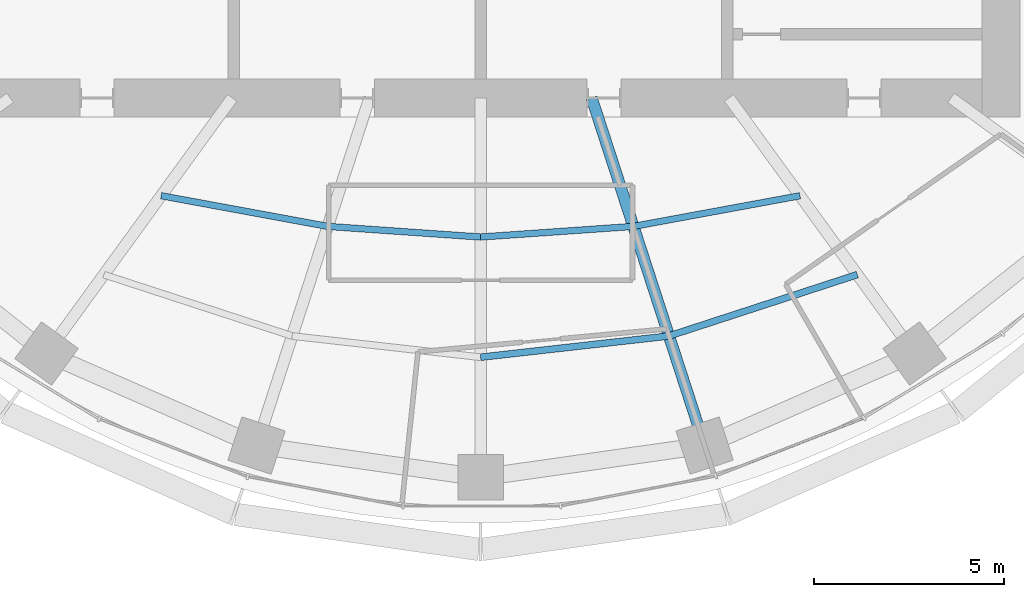
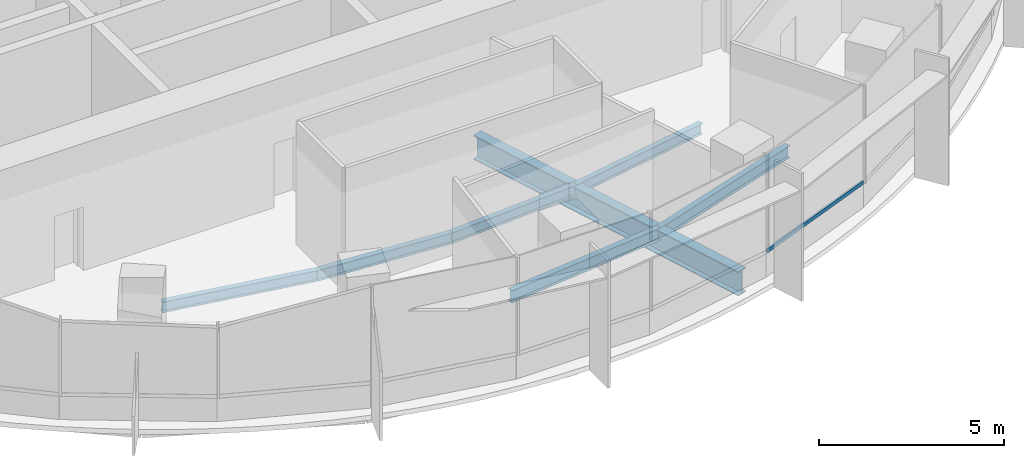
# One storey, part 3 of 13: 7 beams, 1 member, 1 element without a shape of its own.
"""IFC4 building model written with IfcOpenShell, lengths in metres."""

from ifc_helpers import new_model, si_unit, direction, frame, origin, origin_2d, place, context, subcontext, project, spatial, rectangle, i_section, extrude, material, material_profile, profile_set, type_object, element, aggregate, save


model = new_model("IFC4")

# Units and contexts
model_context = context("Model", 3, precision=1e-05, world=origin(), true_north=direction((0.0, 1.0)))
body_context = subcontext(model_context, "Body", "Model", "MODEL_VIEW")
ifc_project = project(units=[si_unit("LENGTHUNIT", "METRE"), si_unit("AREAUNIT", "SQUARE_METRE"), si_unit("VOLUMEUNIT", "CUBIC_METRE"), si_unit("PLANEANGLEUNIT", "RADIAN"), si_unit("MASSUNIT", "GRAM", prefix="KILO")], contexts=[model_context])

# Site, building, storey
site_placement = place(None, origin())
site = spatial("IfcSite", under=ifc_project, at=site_placement, CompositionType="ELEMENT")
building_placement = place(site_placement, origin())
building = spatial("IfcBuilding", under=site, at=building_placement, Name="Marramba Exchange Tower", CompositionType="ELEMENT")
storey_placement = place(building_placement, frame((0.0, 0.0, 256.0)))
storey = spatial("IfcBuildingStorey", under=building, at=storey_placement, Name="L62", CompositionType="ELEMENT", Elevation=256.0)

# Curtain wall, member
ifc_material_1 = material(Name="Aluminium framing, bronze anodised", Category="aluminium")
curtain_wall_type = type_object("IfcCurtainWallType", Name="Executive floor ribbon curtain wall", PredefinedType="USERDEFINED", material=ifc_material_1)
curtain_wall_placement = place(storey_placement, origin())
curtain_wall = element("IfcCurtainWall", 1, at=curtain_wall_placement, inside=storey, type_object=curtain_wall_type, Name="Curtain wall CW5 L62 F21-F25", ObjectType="RIBBON CURTAIN WALL", PredefinedType="USERDEFINED")
ifc_material_2 = material(Name="Aluminium transom, bronze anodised", Category="aluminium")
ifc_material_profile_1 = material_profile(ifc_material_2, rectangle(XDim=0.06005859375, YDim=0.1201171875, at=origin_2d()), Name="CW5 transom 60x120")
ifc_profile_set_1 = profile_set([ifc_material_profile_1], Name="Aluminium transom, bronze anodised")
member_type = type_object("IfcMemberType", Name="Executive floor ribbon curtain wall transom", PredefinedType="USERDEFINED", material=ifc_profile_set_1)
member_placement = place(storey_placement, frame((6.21826171875, -18.943603515625, 0.830078125), z_axis=(0.931790621773, 0.362996194438, 0.0), x_axis=(-0.362996194438, 0.931790621773, 0.0)))
member = element("IfcMember", 2, at=member_placement, type_object=member_type, Name="CW5 sill transom", ObjectType="TRANSOM", PredefinedType="USERDEFINED", context=body_context, shape_type="SweptSolid", body=[
    extrude(rectangle(XDim=0.06005859375, YDim=0.1201171875, at=origin_2d()), origin(), (0.0, 0.0, 1.0), 4.13427734375),
])
aggregate(curtain_wall, [member])

# Beams
ifc_material_3 = material(Name="Steel AS/NZS 3679.1 grade 300", Category="steel")
ifc_material_profile_2 = material_profile(ifc_material_3, i_section(OverallWidth=0.1708984375, OverallDepth=0.35595703125, WebThickness=0.00732421875, FlangeThickness=0.011474609375, FilletRadius=0.011474609375, at=origin_2d()), Name="360UB50.7")
ifc_profile_set_2 = profile_set([ifc_material_profile_2], Name="Steel AS/NZS 3679.1 grade 300")
beam_type_1 = type_object("IfcBeamType", Name="Floor joist 360UB50.7", PredefinedType="JOIST", material=ifc_profile_set_2)
beam_1_placement = place(storey_placement, frame((-8.41162109375, -11.57763671875, -0.337890625), z_axis=(0.983455754421, -0.181148500119, 0.0), x_axis=(0.181148500119, 0.983455754421, 0.0)))
element("IfcBeam", 3, at=beam_1_placement, inside=storey, type_object=beam_type_1, Name="Joist L62 bay 14 row 1", PredefinedType="JOIST", context=body_context, shape_type="SweptSolid", body=[
    extrude(i_section(OverallWidth=0.1708984375, OverallDepth=0.35595703125, WebThickness=0.00732421875, FlangeThickness=0.011474609375, FilletRadius=0.011474609375, at=origin_2d()), origin(), (0.0, 0.0, 1.0), 4.4609375),
])
for number, where, z_axis, x_axis, name in (
    (4, (-4.0244140625, -12.3857421875, -0.337890625), (0.99759625901, -0.069294328838, 0.0), (0.069294328838, 0.99759625901, 0.0), "Joist L62 bay 15 row 1"),
    (5, (0.0, -12.665283203125, -0.337890625), (0.99759625901, 0.069294328838, 0.0), (-0.069294328838, 0.99759625901, 0.0), "Joist L62 bay 16 row 1"),
):
    element("IfcBeam", number, at=place(storey_placement, frame(where, z_axis=z_axis, x_axis=x_axis)), inside=storey, type_object=beam_type_1, Name=name, PredefinedType="JOIST", context=body_context, shape_type="SweptSolid", body=[
        extrude(i_section(OverallWidth=0.1708984375, OverallDepth=0.35595703125, WebThickness=0.00732421875, FlangeThickness=0.011474609375, FilletRadius=0.011474609375, at=origin_2d()), origin(), (0.0, 0.0, 1.0), 4.0341796875),
    ])
beam_2_placement = place(storey_placement, frame((4.0244140625, -12.3857421875, -0.337890625), z_axis=(0.983455754421, 0.181148500119, 0.0), x_axis=(-0.181148500119, 0.983455754421, 0.0)))
element("IfcBeam", 6, at=beam_2_placement, inside=storey, type_object=beam_type_1, Name="Joist L62 bay 17 row 1", PredefinedType="JOIST", context=body_context, shape_type="SweptSolid", body=[
    extrude(i_section(OverallWidth=0.1708984375, OverallDepth=0.35595703125, WebThickness=0.00732421875, FlangeThickness=0.011474609375, FilletRadius=0.011474609375, at=origin_2d()), origin(), (0.0, 0.0, 1.0), 4.4609375),
])
ifc_material_profile_3 = material_profile(ifc_material_3, i_section(OverallWidth=0.177978515625, OverallDepth=0.403076171875, WebThickness=0.007568359375, FlangeThickness=0.010986328125, FilletRadius=0.011474609375, at=origin_2d()), Name="410UB53.7")
ifc_profile_set_3 = profile_set([ifc_material_profile_3], Name="Steel AS/NZS 3679.1 grade 300")
beam_type_2 = type_object("IfcBeamType", Name="Floor joist 410UB53.7", PredefinedType="JOIST", material=ifc_profile_set_3)
beam_3_placement = place(storey_placement, frame((0.0, -15.83056640625, -0.361572265625), z_axis=(0.993712018573, 0.111966174106, 0.0), x_axis=(-0.111966174106, 0.993712018573, 0.0)))
element("IfcBeam", 7, at=beam_3_placement, inside=storey, type_object=beam_type_2, Name="Joist L62 bay 16 row 2", PredefinedType="JOIST", context=body_context, shape_type="SweptSolid", body=[
    extrude(i_section(OverallWidth=0.177978515625, OverallDepth=0.403076171875, WebThickness=0.007568359375, FlangeThickness=0.010986328125, FilletRadius=0.011474609375, at=origin_2d()), origin(), (0.0, 0.0, 1.0), 4.993408203125),
])
beam_4_placement = place(storey_placement, frame((4.9619140625, -15.271484375, -0.361572265625), z_axis=(0.950764024931, 0.309915744834, 0.0), x_axis=(-0.309915744834, 0.950764024931, 0.0)))
element("IfcBeam", 8, at=beam_4_placement, inside=storey, type_object=beam_type_2, Name="Joist L62 bay 17 row 2", PredefinedType="JOIST", context=body_context, shape_type="SweptSolid", body=[
    extrude(i_section(OverallWidth=0.177978515625, OverallDepth=0.403076171875, WebThickness=0.007568359375, FlangeThickness=0.010986328125, FilletRadius=0.011474609375, at=origin_2d()), origin(), (0.0, 0.0, 1.0), 5.2158203125),
])
ifc_material_4 = material(Name="Steel AS/NZS 3679.2 grade 300", Category="steel")
ifc_material_profile_4 = material_profile(ifc_material_4, i_section(OverallWidth=0.300048828125, OverallDepth=0.800048828125, WebThickness=0.013916015625, FlangeThickness=0.031982421875, at=origin_2d()), Name="800WB192")
ifc_profile_set_4 = profile_set([ifc_material_profile_4], Name="Steel AS/NZS 3679.2 grade 300")
beam_type_3 = type_object("IfcBeamType", Name="Radial girder 800WB192", PredefinedType="BEAM", material=ifc_profile_set_4)
beam_5_placement = place(storey_placement, frame((2.92431640625, -9.0, -0.56005859375), z_axis=(0.309022428985, -0.951054750466, 0.0), x_axis=(0.951054750466, 0.309022428985, 0.0)))
element("IfcBeam", 9, at=beam_5_placement, inside=storey, type_object=beam_type_3, Name="Radial girder L62 TC17", PredefinedType="BEAM", context=body_context, shape_type="SweptSolid", body=[
    extrude(i_section(OverallWidth=0.300048828125, OverallDepth=0.800048828125, WebThickness=0.013916015625, FlangeThickness=0.031982421875, at=origin_2d()), origin(), (0.0, 0.0, 1.0), 9.628173828125),
])

save(model, "model.ifc")
